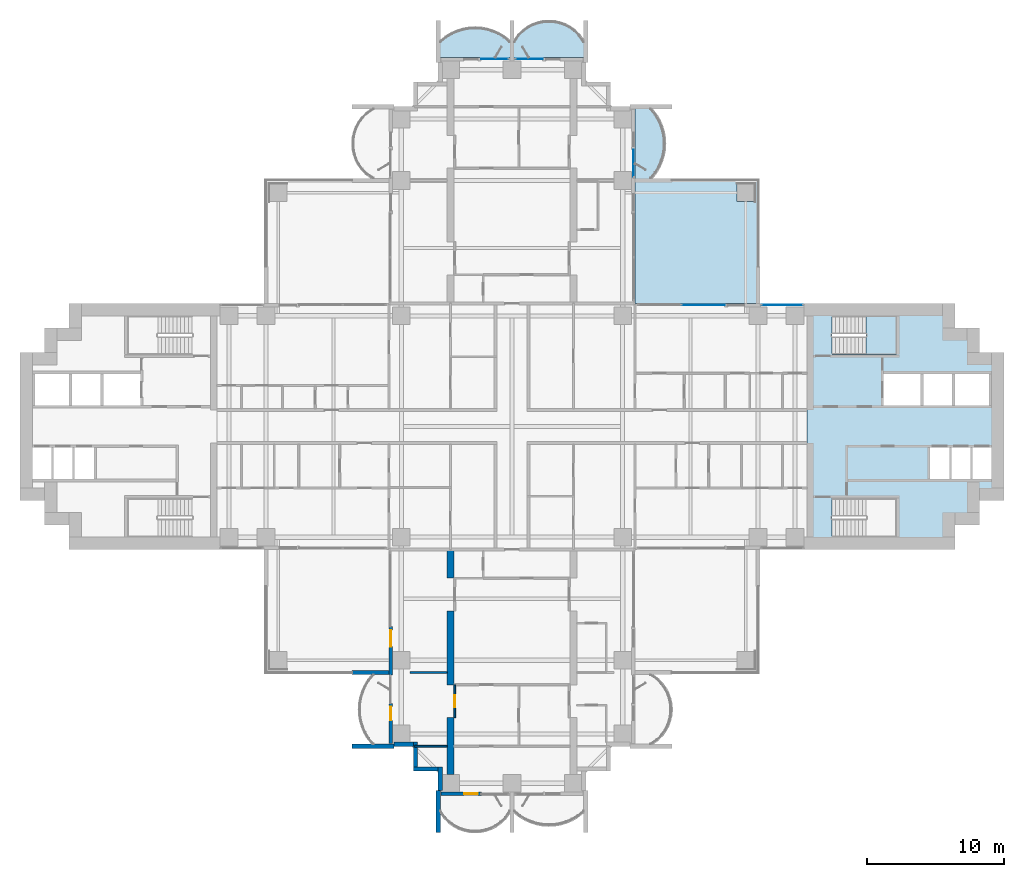
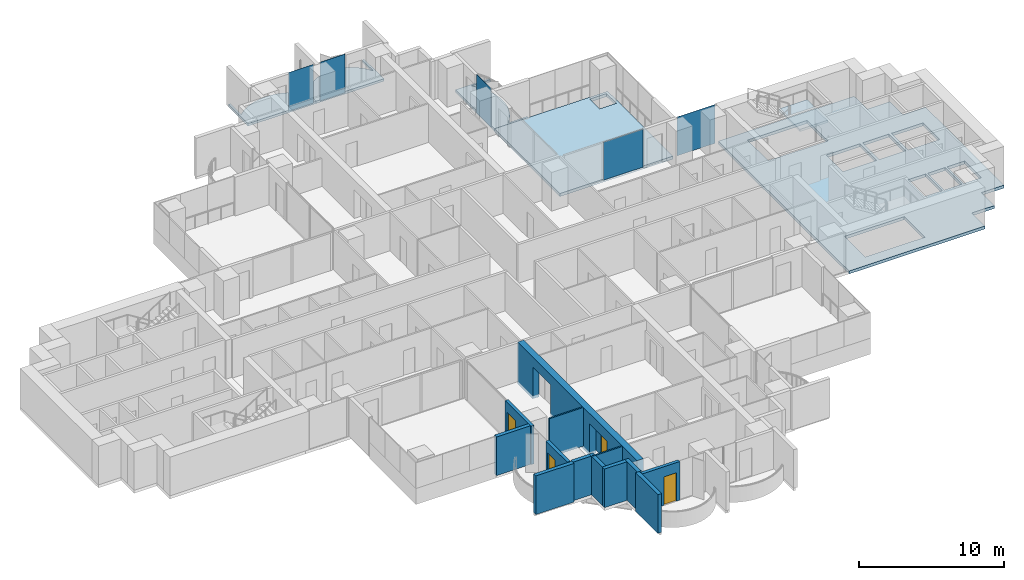
# One storey, part 9 of 21: 14 walls, 6 slabs, 5 plates, 4 doors, 4 openings, 6 elements without a shape of their own.
"""IFC4 building model written with IfcOpenShell, lengths in metres."""

from ifc_helpers import new_model, si_unit, direction, frame, frame_2d, origin, origin_2d, place, context, subcontext, project, spatial, polyline, rectangle, outline, extrude, material, layer, layer_set, material_profile, profile_set, type_object, element, fill, aggregate, save


model = new_model("IFC4")

# Units and contexts
model_context = context("Model", 3, precision=1e-05, world=origin(), true_north=direction((0.0, 1.0)))
body_context = subcontext(model_context, "Body", "Model", "MODEL_VIEW")
ifc_project = project(units=[si_unit("LENGTHUNIT", "METRE"), si_unit("AREAUNIT", "SQUARE_METRE"), si_unit("VOLUMEUNIT", "CUBIC_METRE"), si_unit("PLANEANGLEUNIT", "RADIAN"), si_unit("MASSUNIT", "GRAM", prefix="KILO")], contexts=[model_context])

# Site, building, storey
site_placement = place(None, origin())
site = spatial("IfcSite", under=ifc_project, at=site_placement, CompositionType="ELEMENT")
building_placement = place(site_placement, origin())
building = spatial("IfcBuilding", under=site, at=building_placement, Name="Perihelion Cross Residences", CompositionType="ELEMENT")
storey_placement = place(building_placement, frame((0.0, 0.0, 47.0)))
storey = spatial("IfcBuildingStorey", under=building, at=storey_placement, Name="L08", CompositionType="ELEMENT", Elevation=47.0)

# Slabs
ifc_material_1 = material(Name="Concrete C40/50", Category="concrete")
ifc_layer_1 = layer(ifc_material_1, 0.199951171875)
ifc_layer_set_1 = layer_set([ifc_layer_1], Name="Balcony slab 200")
slab_type_1 = type_object("IfcSlabType", Name="Balcony slab 200", PredefinedType="FLOOR", material=ifc_layer_set_1)
slab_1_placement = place(storey_placement, frame((0.0, 0.0, -0.199951171875)))
element("IfcSlab", 1, at=slab_1_placement, inside=storey, type_object=slab_type_1, Name="Slab BK1 L08 north side east bay 2 balcony", PredefinedType="FLOOR", context=body_context, shape_type="SweptSolid", body=[
    extrude(outline(polyline([(9.0, 18.0), (9.0, 23.39990234375), (11.699951171875, 23.39990234375), (11.699951171875, 23.25), (10.199951171875, 23.25), (10.5400390625, 22.824951171875), (10.792724609375, 22.39990234375), (10.9765625, 21.97509765625), (11.1025390625, 21.550048828125), (11.17578125, 21.125), (11.199951171875, 20.699951171875), (11.17578125, 20.27490234375), (11.1025390625, 19.85009765625), (10.9765625, 19.425048828125), (10.792724609375, 19.0), (10.5400390625, 18.574951171875), (10.199951171875, 18.14990234375), (11.699951171875, 18.14990234375), (11.699951171875, 18.0), (9.0, 18.0)])), origin(), (0.0, 0.0, 1.0), 0.199951171875),
])
slab_2_placement = place(storey_placement, frame((0.0, 0.0, -0.199951171875)))
element("IfcSlab", 2, at=slab_2_placement, inside=storey, type_object=slab_type_1, Name="Slab BK1 L08 north tip north bay 1 balcony", PredefinedType="FLOOR", context=body_context, shape_type="SweptSolid", body=[
    extrude(outline(polyline([(5.39990234375, 27.0), (0.0, 27.0), (0.0, 29.699951171875), (0.14990234375, 29.699951171875), (0.14990234375, 28.199951171875), (0.489990234375, 28.6767578125), (0.830078125, 29.007080078125), (1.169921875, 29.2490234375), (1.510009765625, 29.42724609375), (1.85009765625, 29.553466796875), (2.18994140625, 29.63427734375), (2.530029296875, 29.674072265625), (2.8701171875, 29.674072265625), (3.2099609375, 29.63427734375), (3.550048828125, 29.553466796875), (3.889892578125, 29.42724609375), (4.22998046875, 29.2490234375), (4.570068359375, 29.007080078125), (4.909912109375, 28.6767578125), (5.25, 28.199951171875), (5.25, 29.699951171875), (5.39990234375, 29.699951171875), (5.39990234375, 27.0)])), origin(), (0.0, 0.0, 1.0), 0.199951171875),
])
slab_3_placement = place(storey_placement, frame((0.0, 0.0, -0.199951171875)))
element("IfcSlab", 3, at=slab_3_placement, inside=storey, type_object=slab_type_1, Name="Slab BK1 L08 north tip north bay 2 balcony", PredefinedType="FLOOR", context=body_context, shape_type="SweptSolid", body=[
    extrude(outline(polyline([(0.0, 27.0), (-5.39990234375, 27.0), (-5.39990234375, 29.699951171875), (-5.25, 29.699951171875), (-5.25, 28.199951171875), (-4.824951171875, 28.5400390625), (-4.39990234375, 28.792724609375), (-3.97509765625, 28.9765625), (-3.550048828125, 29.1025390625), (-3.125, 29.17578125), (-2.699951171875, 29.199951171875), (-2.27490234375, 29.17578125), (-1.85009765625, 29.1025390625), (-1.425048828125, 28.9765625), (-1.0, 28.792724609375), (-0.574951171875, 28.5400390625), (-0.14990234375, 28.199951171875), (-0.14990234375, 29.699951171875), (0.0, 29.699951171875), (0.0, 27.0)])), origin(), (0.0, 0.0, 1.0), 0.199951171875),
])

# Curtain wall, plate
ifc_material_2 = material(Name="Bronze anodised aluminium, tinted glazing", Category="aluminium")
curtain_wall_type = type_object("IfcCurtainWallType", Name="CW1", PredefinedType="NOTDEFINED", material=ifc_material_2)
curtain_wall_1_placement = place(storey_placement, origin())
curtain_wall_1 = element("IfcCurtainWall", 4, at=curtain_wall_1_placement, inside=storey, type_object=curtain_wall_type, Name="Curtain wall CW1 L08 east side north bay 1", PredefinedType="NOTDEFINED")
ifc_material_3 = material(Name="Tinted laminated glass", Category="glass")
ifc_layer_2 = layer(ifc_material_3, 0.028076171875)
ifc_layer_set_2 = layer_set([ifc_layer_2], Name="CW1 panel")
plate_type = type_object("IfcPlateType", Name="CW1 panel", PredefinedType="CURTAIN_PANEL", material=ifc_layer_set_2)
plate_1_placement = place(storey_placement, frame((19.77490234375, 8.89990234375, 0.0), z_axis=(0.0, 0.0, 1.0), x_axis=(-1.0, 0.0, 0.0)))
plate_1 = element("IfcPlate", 5, at=plate_1_placement, type_object=plate_type, Name="CW1 panel 1", PredefinedType="CURTAIN_PANEL", context=body_context, shape_type="SweptSolid", body=[
    extrude(rectangle(XDim=3.030029296875, YDim=0.028076171875, at=origin_2d()), origin(), (0.0, 0.0, 1.0), 3.25),
])
aggregate(curtain_wall_1, [plate_1])

curtain_wall_2_placement = place(storey_placement, origin())
curtain_wall_2 = element("IfcCurtainWall", 6, at=curtain_wall_2_placement, inside=storey, type_object=curtain_wall_type, Name="Curtain wall CW1 L08 east side north bay 2", PredefinedType="NOTDEFINED")
plate_2_placement = place(storey_placement, frame((13.9775390625, 8.89990234375, 0.0), z_axis=(0.0, 0.0, 1.0), x_axis=(-1.0, 0.0, 0.0)))
plate_2 = element("IfcPlate", 7, at=plate_2_placement, type_object=plate_type, Name="CW1 panel 1", PredefinedType="CURTAIN_PANEL", context=body_context, shape_type="SweptSolid", body=[
    extrude(rectangle(XDim=3.14501953125, YDim=0.028076171875, at=origin_2d()), origin(), (0.0, 0.0, 1.0), 3.18994140625),
])
aggregate(curtain_wall_2, [plate_2])

curtain_wall_3_placement = place(storey_placement, origin())
curtain_wall_3 = element("IfcCurtainWall", 8, at=curtain_wall_3_placement, inside=storey, type_object=curtain_wall_type, Name="Curtain wall CW1 L08 north side east bay 2", PredefinedType="NOTDEFINED")
plate_3_placement = place(storey_placement, frame((8.89990234375, 19.2548828125, 0.0), z_axis=(0.0, 0.0, 1.0), x_axis=(0.0, 1.0, 0.0)))
plate_3 = element("IfcPlate", 9, at=plate_3_placement, type_object=plate_type, Name="CW1 panel 1", PredefinedType="CURTAIN_PANEL", context=body_context, shape_type="SweptSolid", body=[
    extrude(rectangle(XDim=1.989990234375, YDim=0.028076171875, at=origin_2d()), origin(), (0.0, 0.0, 1.0), 3.25),
])
aggregate(curtain_wall_3, [plate_3])

curtain_wall_4_placement = place(storey_placement, origin())
curtain_wall_4 = element("IfcCurtainWall", 10, at=curtain_wall_4_placement, inside=storey, type_object=curtain_wall_type, Name="Curtain wall CW1 L08 north tip north bay 1", PredefinedType="NOTDEFINED")
plate_4_placement = place(storey_placement, frame((1.2548828125, 26.89990234375, 0.0), z_axis=(0.0, 0.0, 1.0), x_axis=(-1.0, 0.0, 0.0)))
plate_4 = element("IfcPlate", 11, at=plate_4_placement, type_object=plate_type, Name="CW1 panel 1", PredefinedType="CURTAIN_PANEL", context=body_context, shape_type="SweptSolid", body=[
    extrude(rectangle(XDim=1.989990234375, YDim=0.028076171875, at=origin_2d()), origin(), (0.0, 0.0, 1.0), 3.25),
])
aggregate(curtain_wall_4, [plate_4])

curtain_wall_5_placement = place(storey_placement, origin())
curtain_wall_5 = element("IfcCurtainWall", 12, at=curtain_wall_5_placement, inside=storey, type_object=curtain_wall_type, Name="Curtain wall CW1 L08 north tip north bay 2", PredefinedType="NOTDEFINED")
plate_5_placement = place(storey_placement, frame((-1.2548828125, 26.89990234375, 0.0), z_axis=(0.0, 0.0, 1.0), x_axis=(-1.0, 0.0, 0.0)))
plate_5 = element("IfcPlate", 13, at=plate_5_placement, type_object=plate_type, Name="CW1 panel 1", PredefinedType="CURTAIN_PANEL", context=body_context, shape_type="SweptSolid", body=[
    extrude(rectangle(XDim=1.989990234375, YDim=0.028076171875, at=origin_2d()), origin(), (0.0, 0.0, 1.0), 3.25),
])
aggregate(curtain_wall_5, [plate_5])

# Slabs
ifc_material_4 = material(Name="Concrete C40/50", Category="concrete")
ifc_layer_3 = layer(ifc_material_4, 0.25)
ifc_layer_set_3 = layer_set([ifc_layer_3], Name="Core floor slab 250")
slab_type_2 = type_object("IfcSlabType", Name="Core floor slab 250", PredefinedType="FLOOR", material=ifc_layer_set_3)
slab_4_placement = place(storey_placement, frame((0.0, 0.0, -0.25)))
element("IfcSlab", 14, at=slab_4_placement, inside=storey, type_object=slab_type_2, Name="East core floor slab", PredefinedType="FLOOR", context=body_context, shape_type="SweptSolid", body=[
    extrude(outline(polyline([(32.39990234375, 7.199951171875), (34.199951171875, 7.199951171875), (34.199951171875, 5.39990234375), (36.0, 5.39990234375), (36.0, -5.39990234375), (34.199951171875, -5.39990234375), (34.199951171875, -7.199951171875), (32.39990234375, -7.199951171875), (32.39990234375, -9.0), (21.60009765625, -9.0), (21.60009765625, 9.0), (32.39990234375, 9.0), (32.39990234375, 7.199951171875)]), holes=[polyline([(23.405029296875, -8.10009765625), (28.14990234375, -8.10009765625), (28.14990234375, -5.25), (23.405029296875, -5.25), (23.405029296875, -8.10009765625)]), polyline([(30.60009765625, -1.550048828125), (30.60009765625, -3.85009765625), (32.0, -3.85009765625), (32.0, -1.550048828125), (30.60009765625, -1.550048828125)]), polyline([(32.14990234375, -1.550048828125), (32.14990234375, -3.85009765625), (33.550048828125, -3.85009765625), (33.550048828125, -1.550048828125), (32.14990234375, -1.550048828125)]), polyline([(33.699951171875, -1.550048828125), (33.699951171875, -3.85009765625), (35.10009765625, -3.85009765625), (35.10009765625, -1.550048828125), (33.699951171875, -1.550048828125)]), polyline([(27.199951171875, 3.85009765625), (27.199951171875, 1.550048828125), (29.89990234375, 1.550048828125), (29.89990234375, 3.85009765625), (27.199951171875, 3.85009765625)]), polyline([(30.10009765625, 3.85009765625), (30.10009765625, 1.550048828125), (32.199951171875, 1.550048828125), (32.199951171875, 3.85009765625), (30.10009765625, 3.85009765625)]), polyline([(32.39990234375, 3.85009765625), (32.39990234375, 1.550048828125), (34.89990234375, 1.550048828125), (34.89990234375, 3.85009765625), (32.39990234375, 3.85009765625)]), polyline([(23.405029296875, 5.25), (28.14990234375, 5.25), (28.14990234375, 8.10009765625), (23.405029296875, 8.10009765625), (23.405029296875, 5.25)])]), origin(), (0.0, 0.0, 1.0), 0.25),
])
ifc_material_5 = material(Name="Concrete C40/50", Category="concrete")
ifc_layer_4 = layer(ifc_material_5, 0.25)
ifc_layer_set_4 = layer_set([ifc_layer_4], Name="Corner terrace slab")
slab_type_3 = type_object("IfcSlabType", Name="Corner terrace slab", PredefinedType="FLOOR", material=ifc_layer_set_4)
slab_5_placement = place(storey_placement, frame((0.0, 0.0, -0.25)))
element("IfcSlab", 15, at=slab_5_placement, inside=storey, type_object=slab_type_3, Name="Slab BK2 L08 pocket north-east", PredefinedType="FLOOR", context=body_context, shape_type="SweptSolid", body=[
    extrude(outline(polyline([(18.0, 9.0), (18.0, 18.0), (9.0, 18.0), (9.0, 9.0), (18.0, 9.0)]), holes=[polyline([(16.449951171875, 16.449951171875), (16.449951171875, 17.7900390625), (17.7900390625, 17.7900390625), (17.7900390625, 16.409912109375), (17.75, 16.409912109375), (17.75, 16.449951171875), (16.449951171875, 16.449951171875)])]), origin(), (0.0, 0.0, 1.0), 0.25),
])

# Stair, slab
ifc_material_6 = material(Name="Concrete C40/50", Category="concrete")
stair_type = type_object("IfcStairType", Name="Exit stair, half-turn", PredefinedType="HALF_TURN_STAIR", material=ifc_material_6)
stair_placement = place(storey_placement, origin())
stair = element("IfcStair", 16, at=stair_placement, inside=storey, type_object=stair_type, Name="L08 East core exit stair 1", PredefinedType="HALF_TURN_STAIR")
ifc_material_7 = material(Name="Concrete C40/50", Category="concrete")
ifc_layer_5 = layer(ifc_material_7, 0.199951171875)
ifc_layer_set_5 = layer_set([ifc_layer_5], Name="Exit stair landing 200")
slab_type_4 = type_object("IfcSlabType", Name="Exit stair landing 200", PredefinedType="LANDING", material=ifc_layer_set_5)
slab_6_placement = place(storey_placement, frame((0.0, 0.0, 1.550048828125)))
slab_6 = element("IfcSlab", 17, at=slab_6_placement, type_object=slab_type_4, Name="ST-E1 landing 1", PredefinedType="LANDING", context=body_context, shape_type="SweptSolid", body=[
    extrude(outline(polyline([(25.919921875, 5.25), (28.14990234375, 5.25), (28.14990234375, 8.10009765625), (25.919921875, 8.10009765625), (25.919921875, 5.25)])), origin(), (0.0, 0.0, 1.0), 0.199951171875),
])
aggregate(stair, [slab_6])

# Wall, opening, door
ifc_material_8 = material(Name="Concrete C30/37, bronze-clad", Category="concrete")
ifc_layer_6 = layer(ifc_material_8, 0.25)
ifc_layer_set_6 = layer_set([ifc_layer_6], Name="Bronze-clad pier wall 250")
wall_type_1 = type_object("IfcWallType", Name="Bronze-clad pier wall 250", PredefinedType="SOLIDWALL", material=ifc_layer_set_6)
wall_1_placement = place(storey_placement, frame((-8.875, -14.64990234375, 0.0), z_axis=(0.0, 0.0, 1.0), x_axis=(0.0, -1.0, 0.0)))
wall_1 = element("IfcWall", 18, at=wall_1_placement, inside=storey, type_object=wall_type_1, Name="Wall FW1 L08 south side west bay 1 pier", PredefinedType="SOLIDWALL", context=body_context, shape_type="SweptSolid", body=[
    extrude(rectangle(XDim=3.550048828125, YDim=0.25, at=frame_2d((1.77490234375, 0.0))), origin(), (0.0, 0.0, 1.0), 3.25),
])
opening_1_placement = place(wall_1_placement, frame((0.25, 0.0, 0.0)))
opening_1 = element("IfcOpeningElement", 19, at=opening_1_placement, cuts=wall_1, Name="Opening L08.E10", PredefinedType="OPENING", context=body_context, shape_type="SweptSolid", body=[
    extrude(rectangle(XDim=1.199951171875, YDim=2.39990234375, at=frame_2d((0.60009765625, 1.199951171875))), frame((0.0, 0.135009765625, 0.0), z_axis=(0.0, -1.0, 0.0), x_axis=(1.0, 0.0, 0.0)), (0.0, 0.0, 1.0), 0.27001953125),
])
ifc_material_9 = material(Name="Bronze anodised aluminium, glazed", Category="aluminium")
door_type_1 = type_object("IfcDoorType", Name="Balcony door 1200 x 2400", OperationType="NOTDEFINED", PredefinedType="DOOR", material=ifc_material_9)
door_1_placement = place(opening_1_placement, origin())
door_1 = element("IfcDoor", 20, at=door_1_placement, inside=storey, type_object=door_type_1, Name="Door L08.E10 south side west bay 1", OperationType="SINGLE_SWING_LEFT", OverallHeight=2.39990234375, OverallWidth=1.199951171875, PredefinedType="DOOR", context=body_context, shape_type="SweptSolid", body=[
    extrude(rectangle(XDim=1.199951171875, YDim=2.39990234375, at=frame_2d((0.60009765625, 1.199951171875))), frame((0.0, 0.02490234375, 0.0), z_axis=(0.0, -1.0, 0.0), x_axis=(1.0, 0.0, 0.0)), (0.0, 0.0, 1.0), 0.050048828125),
])
fill(opening_1, door_1)

wall_2_placement = place(storey_placement, frame((-8.875, -20.25, 0.0), z_axis=(0.0, 0.0, 1.0), x_axis=(0.0, -1.0, 0.0)))
wall_2 = element("IfcWall", 21, at=wall_2_placement, inside=storey, type_object=wall_type_1, Name="Wall FW1 L08 south side west bay 2 pier", PredefinedType="SOLIDWALL", context=body_context, shape_type="SweptSolid", body=[
    extrude(rectangle(XDim=2.949951171875, YDim=0.25, at=frame_2d((1.47509765625, 0.0))), origin(), (0.0, 0.0, 1.0), 3.25),
])
opening_2_placement = place(wall_2_placement, frame((0.25, 0.0, 0.0)))
opening_2 = element("IfcOpeningElement", 22, at=opening_2_placement, cuts=wall_2, Name="Opening L08.E11", PredefinedType="OPENING", context=body_context, shape_type="SweptSolid", body=[
    extrude(rectangle(XDim=1.0, YDim=2.39990234375, at=frame_2d((0.5, 1.199951171875))), frame((0.0, 0.135009765625, 0.0), z_axis=(0.0, -1.0, 0.0), x_axis=(1.0, 0.0, 0.0)), (0.0, 0.0, 1.0), 0.27001953125),
])
ifc_material_10 = material(Name="Bronze anodised aluminium, glazed", Category="aluminium")
door_type_2 = type_object("IfcDoorType", Name="Balcony door 1000 x 2400", OperationType="NOTDEFINED", PredefinedType="DOOR", material=ifc_material_10)
door_2_placement = place(opening_2_placement, origin())
door_2 = element("IfcDoor", 23, at=door_2_placement, inside=storey, type_object=door_type_2, Name="Door L08.E11 south side west bay 2", OperationType="SINGLE_SWING_RIGHT", OverallHeight=2.39990234375, OverallWidth=1.0, PredefinedType="DOOR", context=body_context, shape_type="SweptSolid", body=[
    extrude(rectangle(XDim=1.0, YDim=2.39990234375, at=frame_2d((0.5, 1.199951171875))), frame((0.0, 0.02490234375, 0.0), z_axis=(0.0, -1.0, 0.0), x_axis=(1.0, 0.0, 0.0)), (0.0, 0.0, 1.0), 0.050048828125),
])
fill(opening_2, door_2)

wall_3_placement = place(storey_placement, frame((-5.199951171875, -26.875, 0.0), z_axis=(0.0, 0.0, 1.0), x_axis=(1.0, 0.0, 0.0)))
wall_3 = element("IfcWall", 24, at=wall_3_placement, inside=storey, type_object=wall_type_1, Name="Wall FW1 L08 south tip south bay 1 pier", PredefinedType="SOLIDWALL", context=body_context, shape_type="SweptSolid", body=[
    extrude(rectangle(XDim=2.949951171875, YDim=0.25, at=frame_2d((1.47509765625, 0.0))), origin(), (0.0, 0.0, 1.0), 3.25),
])
opening_3_placement = place(wall_3_placement, frame((1.699951171875, 0.0, 0.0)))
opening_3 = element("IfcOpeningElement", 25, at=opening_3_placement, cuts=wall_3, Name="Opening L08.E12", PredefinedType="OPENING", context=body_context, shape_type="SweptSolid", body=[
    extrude(rectangle(XDim=1.0, YDim=2.39990234375, at=frame_2d((0.5, 1.199951171875))), frame((0.0, 0.135009765625, 0.0), z_axis=(0.0, -1.0, 0.0), x_axis=(1.0, 0.0, 0.0)), (0.0, 0.0, 1.0), 0.27001953125),
])
door_3_placement = place(opening_3_placement, origin())
door_3 = element("IfcDoor", 26, at=door_3_placement, inside=storey, type_object=door_type_2, Name="Door L08.E12 south tip south bay 1", OperationType="SINGLE_SWING_LEFT", OverallHeight=2.39990234375, OverallWidth=1.0, PredefinedType="DOOR", context=body_context, shape_type="SweptSolid", body=[
    extrude(rectangle(XDim=1.0, YDim=2.39990234375, at=frame_2d((0.5, 1.199951171875))), frame((0.0, 0.02490234375, 0.0), z_axis=(0.0, -1.0, 0.0), x_axis=(1.0, 0.0, 0.0)), (0.0, 0.0, 1.0), 0.050048828125),
])
fill(opening_3, door_3)

# Walls
ifc_material_11 = material(Name="Concrete C30/37, bronze-clad", Category="concrete")
ifc_layer_7 = layer(ifc_material_11, 0.300048828125)
ifc_layer_set_7 = layer_set([ifc_layer_7], Name="Bronze-clad serration wall 300")
wall_type_2 = type_object("IfcWallType", Name="Bronze-clad serration wall 300", PredefinedType="SOLIDWALL", material=ifc_layer_set_7)
wall_4_placement = place(storey_placement, frame((-8.64990234375, -23.25, 0.0), z_axis=(0.0, 0.0, 1.0), x_axis=(1.0, 0.0, 0.0)))
element("IfcWall", 27, at=wall_4_placement, inside=storey, type_object=wall_type_2, Name="Wall SR1 L08 south corner south-west 1", PredefinedType="SOLIDWALL", context=body_context, shape_type="SweptSolid", body=[
    extrude(rectangle(XDim=1.449951171875, YDim=0.300048828125, at=frame_2d((0.72509765625, 0.0))), origin(), (0.0, 0.0, 1.0), 3.25),
])
wall_5_placement = place(storey_placement, frame((-7.050048828125, -23.10009765625, 0.0), z_axis=(0.0, 0.0, 1.0), x_axis=(0.0, -1.0, 0.0)))
element("IfcWall", 28, at=wall_5_placement, inside=storey, type_object=wall_type_2, Name="Wall SR1 L08 south corner south-west 2", PredefinedType="SOLIDWALL", context=body_context, shape_type="SweptSolid", body=[
    extrude(rectangle(XDim=1.7998046875, YDim=0.300048828125, at=frame_2d((0.89990234375, 0.0))), origin(), (0.0, 0.0, 1.0), 3.25),
])
wall_6_placement = place(storey_placement, frame((-7.199951171875, -25.050048828125, 0.0), z_axis=(0.0, 0.0, 1.0), x_axis=(1.0, 0.0, 0.0)))
element("IfcWall", 29, at=wall_6_placement, inside=storey, type_object=wall_type_2, Name="Wall SR1 L08 south corner south-west 3", PredefinedType="SOLIDWALL", context=body_context, shape_type="SweptSolid", body=[
    extrude(rectangle(XDim=1.800048828125, YDim=0.300048828125, at=frame_2d((0.89990234375, 0.0))), origin(), (0.0, 0.0, 1.0), 3.25),
])
wall_7_placement = place(storey_placement, frame((-5.25, -24.89990234375, 0.0), z_axis=(0.0, 0.0, 1.0), x_axis=(0.0, -1.0, 0.0)))
element("IfcWall", 30, at=wall_7_placement, inside=storey, type_object=wall_type_2, Name="Wall SR1 L08 south corner south-west 4", PredefinedType="SOLIDWALL", context=body_context, shape_type="SweptSolid", body=[
    extrude(rectangle(XDim=1.75, YDim=0.300048828125, at=frame_2d((0.875, 0.0))), origin(), (0.0, 0.0, 1.0), 3.25),
])

# Wall, opening, door
ifc_material_12 = material(Name="Plasterboard partition")
ifc_layer_8 = layer(ifc_material_12, 0.1201171875)
ifc_layer_set_8 = layer_set([ifc_layer_8], Name="Infill panel 120")
wall_type_3 = type_object("IfcWallType", Name="Infill panel 120", PredefinedType="PARTITIONING", material=ifc_layer_set_8)
wall_8_placement = place(storey_placement, frame((-4.18994140625, -18.89990234375, 0.0), z_axis=(0.0, 0.0, 1.0), x_axis=(0.0, -1.0, 0.0)))
wall_8 = element("IfcWall", 31, at=wall_8_placement, inside=storey, type_object=wall_type_3, Name="Partition L08 WI08", PredefinedType="PARTITIONING", context=body_context, shape_type="SweptSolid", body=[
    extrude(rectangle(XDim=2.400146484375, YDim=0.1201171875, at=frame_2d((1.2001953125, 0.0))), origin(), (0.0, 0.0, 1.0), 2.39990234375),
])
opening_4_placement = place(wall_8_placement, frame((0.75, 0.0, 0.0)))
opening_4 = element("IfcOpeningElement", 32, at=opening_4_placement, cuts=wall_8, Name="Opening L08.A58", PredefinedType="OPENING", context=body_context, shape_type="SweptSolid", body=[
    extrude(rectangle(XDim=0.89990234375, YDim=2.10009765625, at=frame_2d((0.449951171875, 1.050048828125))), frame((0.0, 0.070068359375, 0.0), z_axis=(0.0, -1.0, 0.0), x_axis=(1.0, 0.0, 0.0)), (0.0, 0.0, 1.0), 0.14013671875),
])
ifc_material_13 = material(Name="Timber door leaf", Category="wood")
door_type_3 = type_object("IfcDoorType", Name="Interior room door 900 x 2100", OperationType="SINGLE_SWING_LEFT", PredefinedType="DOOR", material=ifc_material_13)
door_4_placement = place(opening_4_placement, origin())
door_4 = element("IfcDoor", 33, at=door_4_placement, inside=storey, type_object=door_type_3, Name="Door L08.A58", OperationType="SINGLE_SWING_RIGHT", OverallHeight=2.10009765625, OverallWidth=0.89990234375, PredefinedType="DOOR", context=body_context, shape_type="SweptSolid", body=[
    extrude(rectangle(XDim=0.89990234375, YDim=2.10009765625, at=frame_2d((0.449951171875, 1.050048828125))), frame((0.0, 0.02490234375, 0.0), z_axis=(0.0, -1.0, 0.0), x_axis=(1.0, 0.0, 0.0)), (0.0, 0.0, 1.0), 0.050048828125),
])
fill(opening_4, door_4)

# Walls
ifc_material_14 = material(Name="Plasterboard partition")
ifc_layer_9 = layer(ifc_material_14, 0.1201171875)
ifc_layer_set_9 = layer_set([ifc_layer_9], Name="Partition wall 120")
wall_type_4 = type_object("IfcWallType", Name="Partition wall 120", PredefinedType="PARTITIONING", material=ifc_layer_set_9)
wall_9_placement = place(storey_placement, frame((-4.75, -18.0, 0.0), z_axis=(0.0, 0.0, 1.0), x_axis=(-1.0, 0.0, 0.0)))
element("IfcWall", 34, at=wall_9_placement, inside=storey, type_object=wall_type_4, Name="Partition L08 W079", PredefinedType="PARTITIONING", context=body_context, shape_type="SweptSolid", body=[
    extrude(rectangle(XDim=2.699951171875, YDim=0.1201171875, at=frame_2d((1.35009765625, 0.0))), origin(), (0.0, 0.0, 1.0), 3.25),
])
wall_10_placement = place(storey_placement, frame((-4.75, -23.39990234375, 0.0), z_axis=(0.0, 0.0, 1.0), x_axis=(-1.0, 0.0, 0.0)))
element("IfcWall", 35, at=wall_10_placement, inside=storey, type_object=wall_type_4, Name="Partition L08 W080", PredefinedType="PARTITIONING", context=body_context, shape_type="SweptSolid", body=[
    extrude(rectangle(XDim=2.3701171875, YDim=0.1201171875, at=frame_2d((1.18505859375, 0.0))), origin(), (0.0, 0.0, 1.0), 3.25),
])
ifc_material_15 = material(Name="Precast concrete C50/60", Category="concrete")
ifc_layer_10 = layer(ifc_material_15, 0.300048828125)
ifc_layer_set_10 = layer_set([ifc_layer_10], Name="Precast concrete C50/60 blade wall 300")
wall_type_5 = type_object("IfcWallType", Name="Precast concrete C50/60 blade wall 300", PredefinedType="SOLIDWALL", material=ifc_layer_set_10)
wall_11_placement = place(storey_placement, frame((-8.64990234375, -23.39990234375, 0.0), z_axis=(0.0, 0.0, 1.0), x_axis=(-1.0, 0.0, 0.0)))
element("IfcWall", 36, at=wall_11_placement, inside=storey, type_object=wall_type_5, Name="Wall BL1 L08 no. 6", PredefinedType="SOLIDWALL", context=body_context, shape_type="SweptSolid", body=[
    extrude(rectangle(XDim=3.050048828125, YDim=0.300048828125, at=frame_2d((1.52490234375, 0.0))), origin(), (0.0, 0.0, 1.0), 3.25),
])
wall_12_placement = place(storey_placement, frame((-9.0, -18.0, 0.0), z_axis=(0.0, 0.0, 1.0), x_axis=(-1.0, 0.0, 0.0)))
element("IfcWall", 37, at=wall_12_placement, inside=storey, type_object=wall_type_5, Name="Wall BL1 L08 no. 5", PredefinedType="SOLIDWALL", context=body_context, shape_type="SweptSolid", body=[
    extrude(rectangle(XDim=2.699951171875, YDim=0.300048828125, at=frame_2d((1.35009765625, 0.0))), origin(), (0.0, 0.0, 1.0), 3.25),
])
wall_13_placement = place(storey_placement, frame((-5.39990234375, -26.64990234375, 0.0), z_axis=(0.0, 0.0, 1.0), x_axis=(0.0, -1.0, 0.0)))
element("IfcWall", 38, at=wall_13_placement, inside=storey, type_object=wall_type_5, Name="Wall BL1 L08 no. 3", PredefinedType="SOLIDWALL", context=body_context, shape_type="SweptSolid", body=[
    extrude(rectangle(XDim=3.050048828125, YDim=0.300048828125, at=frame_2d((1.52490234375, 0.0))), origin(), (0.0, 0.0, 1.0), 3.25),
])
ifc_material_16 = material(Name="Concrete C60/75", Category="concrete")
ifc_material_profile = material_profile(ifc_material_16, outline(polyline([(0.0, 0.0), (4.14990234375, 0.0), (4.14990234375, 2.64990234375), (6.550048828125, 2.64990234375), (6.550048828125, 0.0), (11.949951171875, 0.0), (11.949951171875, 2.64990234375), (14.35009765625, 2.64990234375), (14.35009765625, 0.0), (16.449951171875, 0.0), (16.449951171875, 3.5), (0.0, 3.5), (0.0, 0.0)])), Name="Tip spine wall")
ifc_profile_set = profile_set([ifc_material_profile], Name="Concrete C60/75")
wall_type_6 = type_object("IfcWallType", Name="Tip spine wall 500 with 2 door openings 16450 long 3500 high concrete C60/75 hand A", PredefinedType="SHEAR", material=ifc_profile_set)
wall_14_placement = place(storey_placement, frame((-4.75, -25.449951171875, -0.25), z_axis=(1.0, 0.0, 0.0), x_axis=(0.0, 1.0, 0.0)))
element("IfcWall", 39, at=wall_14_placement, inside=storey, type_object=wall_type_6, Name="Shear wall SW24 L08 south west", PredefinedType="SHEAR", context=body_context, shape_type="SweptSolid", body=[
    extrude(outline(polyline([(0.0, 0.0), (4.14990234375, 0.0), (4.14990234375, 2.64990234375), (6.550048828125, 2.64990234375), (6.550048828125, 0.0), (11.949951171875, 0.0), (11.949951171875, 2.64990234375), (14.35009765625, 2.64990234375), (14.35009765625, 0.0), (16.449951171875, 0.0), (16.449951171875, 3.5), (0.0, 3.5), (0.0, 0.0)])), origin(), (0.0, 0.0, 1.0), 0.5),
])

save(model, "model.ifc")
